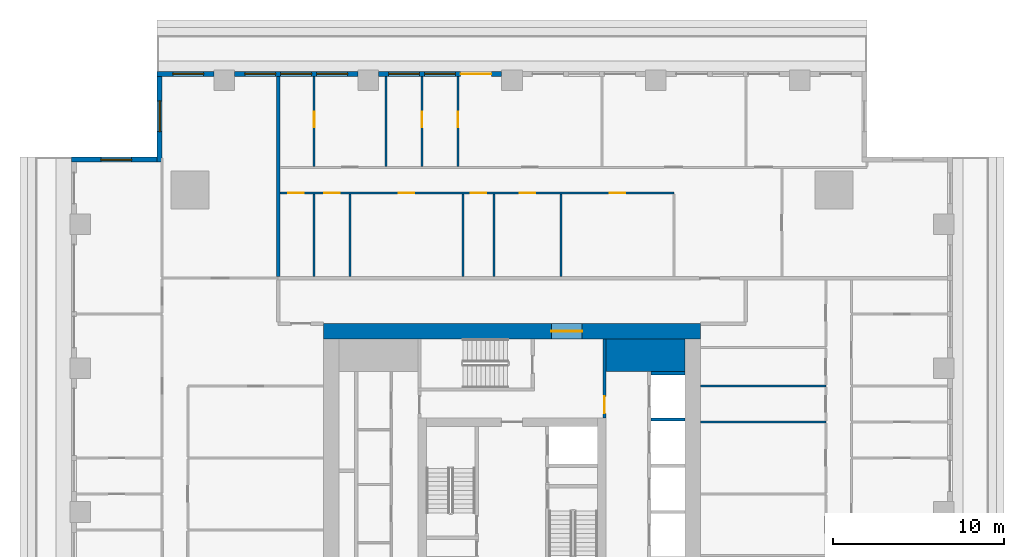
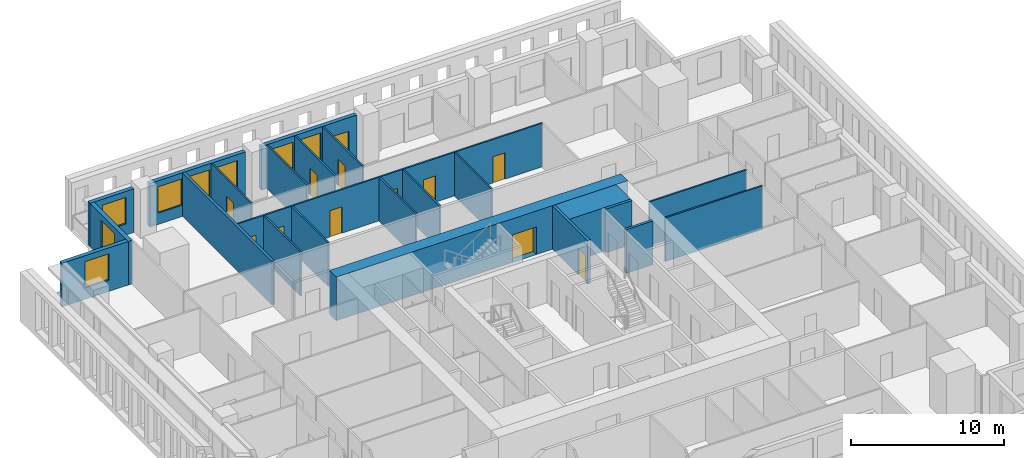
# One storey, part 7 of 14: 23 walls, 12 doors, 8 windows, 20 openings.
"""IFC4 building model written with IfcOpenShell, lengths in metres."""

from ifc_helpers import new_model, si_unit, direction, frame, frame_2d, origin, place, context, subcontext, project, spatial, rectangle, extrude, material, layer, layer_set, type_object, element, fill, save


model = new_model("IFC4")

# Units and contexts
model_context = context("Model", 3, precision=1e-05, world=origin(), true_north=direction((0.0, 1.0)))
body_context = subcontext(model_context, "Body", "Model", "MODEL_VIEW")
ifc_project = project(units=[si_unit("LENGTHUNIT", "METRE"), si_unit("AREAUNIT", "SQUARE_METRE"), si_unit("VOLUMEUNIT", "CUBIC_METRE"), si_unit("PLANEANGLEUNIT", "RADIAN"), si_unit("MASSUNIT", "GRAM", prefix="KILO")], contexts=[model_context])

# Site, building, storey
site_placement = place(None, origin())
site = spatial("IfcSite", under=ifc_project, at=site_placement, CompositionType="ELEMENT")
building_placement = place(site_placement, origin())
building = spatial("IfcBuilding", under=site, at=building_placement, Name="Khepri Terraces", CompositionType="ELEMENT")
storey_placement = place(building_placement, frame((0.0, 0.0, 271.800048828125)))
storey = spatial("IfcBuildingStorey", under=building, at=storey_placement, Name="L65", CompositionType="ELEMENT", Elevation=271.800048828125)

# Walls
ifc_material_1 = material(Name="Concrete C40/50", Category="concrete")
ifc_layer_1 = layer(ifc_material_1, 1.89990234375, Name="Concrete C40/50", Category="concrete")
ifc_layer_set_1 = layer_set([ifc_layer_1], Name="Concrete C40/50")
wall_type_1 = type_object("IfcWallType", Name="Core wall 1900 C40/50", PredefinedType="SHEAR", material=ifc_layer_set_1)
wall_1_placement = place(storey_placement, frame((5.5, 9.14990234375, 0.0), z_axis=(0.0, 0.0, 1.0), x_axis=(1.0, 0.0, 0.0)))
element("IfcWall", 1, at=wall_1_placement, inside=storey, type_object=wall_type_1, Name="Core wall PR04 L65", PredefinedType="SHEAR", context=body_context, shape_type="SweptSolid", body=[
    extrude(rectangle(XDim=4.60009765625, YDim=1.89990234375, at=frame_2d((2.300048828125, 0.0))), origin(), (0.0, 0.0, 1.0), 3.47998046875),
])
ifc_layer_2 = layer(ifc_material_1, 0.199951171875, Name="Concrete C40/50", Category="concrete")
ifc_layer_set_2 = layer_set([ifc_layer_2], Name="Concrete C40/50")
wall_type_2 = type_object("IfcWallType", Name="Core wall 200 C40/50", PredefinedType="SHEAR", material=ifc_layer_set_2)
for number, where, z_axis, x_axis, name in (
    (2, (8.10009765625, 5.39990234375, 0.0), (0.0, 0.0, 1.0), (1.0, 0.0, 0.0), "Core wall SH14 L65"),
    (3, (8.10009765625, 8.10009765625, 0.0), (0.0, 0.0, 1.0), (1.0, 0.0, 0.0), "Core wall SH15 L65"),
):
    element("IfcWall", number, at=place(storey_placement, frame(where, z_axis=z_axis, x_axis=x_axis)), inside=storey, type_object=wall_type_2, Name=name, PredefinedType="SHEAR", context=body_context, shape_type="SweptSolid", body=[
        extrude(rectangle(XDim=2.0, YDim=0.199951171875, at=frame_2d((1.0, 0.0))), origin(), (0.0, 0.0, 1.0), 3.47998046875),
    ])

# Wall, opening, door
ifc_layer_3 = layer(ifc_material_1, 0.89990234375, Name="Concrete C40/50", Category="concrete")
ifc_layer_set_3 = layer_set([ifc_layer_3], Name="Concrete C40/50")
wall_type_3 = type_object("IfcWallType", Name="Core wall 900 C40/50", PredefinedType="SHEAR", material=ifc_layer_set_3)
wall_2_placement = place(storey_placement, frame((-11.0, 10.550048828125, 0.0), z_axis=(0.0, 0.0, 1.0), x_axis=(1.0, 0.0, 0.0)))
wall_2 = element("IfcWall", 4, at=wall_2_placement, inside=storey, type_object=wall_type_3, Name="Core wall OW-N L65", PredefinedType="SHEAR", context=body_context, shape_type="SweptSolid", body=[
    extrude(rectangle(XDim=22.0, YDim=0.89990234375, at=frame_2d((11.0, 0.0))), origin(), (0.0, 0.0, 1.0), 3.47998046875),
])
opening_1_placement = place(wall_2_placement, frame((13.300048828125, 0.0, 0.0)))
opening_1 = element("IfcOpeningElement", 5, at=opening_1_placement, cuts=wall_2, Name="Opening L65-C20", PredefinedType="OPENING", context=body_context, shape_type="SweptSolid", body=[
    extrude(rectangle(XDim=1.800048828125, YDim=2.199951171875, at=frame_2d((0.89990234375, 1.10009765625))), frame((0.0, 0.4599609375, 0.0), z_axis=(0.0, -1.0, 0.0), x_axis=(1.0, 0.0, 0.0)), (0.0, 0.0, 1.0), 0.919921875),
])
ifc_material_2 = material(Name="Painted steel", Category="steel")
door_type_1 = type_object("IfcDoorType", Name="DR-CORE-ENTRANCE-1800", OperationType="NOTDEFINED", PredefinedType="DOOR", material=ifc_material_2)
door_1_placement = place(opening_1_placement, origin())
door_1 = element("IfcDoor", 6, at=door_1_placement, inside=storey, type_object=door_type_1, Name="Core entrance door pair L65-C20", OperationType="DOUBLE_DOOR_SINGLE_SWING", OverallHeight=2.199951171875, OverallWidth=1.800048828125, PredefinedType="DOOR", context=body_context, shape_type="SweptSolid", body=[
    extrude(rectangle(XDim=1.800048828125, YDim=2.199951171875, at=frame_2d((0.89990234375, 1.10009765625))), frame((0.0, 0.02490234375, 0.0), z_axis=(0.0, -1.0, 0.0), x_axis=(1.0, 0.0, 0.0)), (0.0, 0.0, 1.0), 0.050048828125),
])
fill(opening_1, door_1)

ifc_material_3 = material(Name="Fire-rated gypsum board partition")
ifc_layer_4 = layer(ifc_material_3, 0.199951171875, Name="Fire-rated gypsum board partition")
ifc_layer_set_4 = layer_set([ifc_layer_4], Name="Fire-rated gypsum board partition")
wall_type_4 = type_object("IfcWallType", Name="WL-CORE-PART-200", PredefinedType="PARTITIONING", material=ifc_layer_set_4)
wall_3_placement = place(storey_placement, frame((5.39990234375, 5.5, 0.0), z_axis=(0.0, 0.0, 1.0), x_axis=(0.0, 1.0, 0.0)))
wall_3 = element("IfcWall", 7, at=wall_3_placement, inside=storey, type_object=wall_type_4, Name="Core partition PT13 L65", PredefinedType="PARTITIONING", context=body_context, shape_type="SweptSolid", body=[
    extrude(rectangle(XDim=4.60009765625, YDim=0.199951171875, at=frame_2d((2.300048828125, 0.0))), origin(), (0.0, 0.0, 1.0), 3.47998046875),
])
opening_2_placement = place(wall_3_placement, frame((0.25, 0.0, 0.0)))
opening_2 = element("IfcOpeningElement", 8, at=opening_2_placement, cuts=wall_3, Name="Opening L65-C17", PredefinedType="OPENING", context=body_context, shape_type="SweptSolid", body=[
    extrude(rectangle(XDim=1.0, YDim=2.10009765625, at=frame_2d((0.5, 1.050048828125))), frame((0.0, 0.10986328125, 0.0), z_axis=(0.0, -1.0, 0.0), x_axis=(1.0, 0.0, 0.0)), (0.0, 0.0, 1.0), 0.219970703125),
])
door_type_2 = type_object("IfcDoorType", Name="DR-CORE-LOBBY-1000", OperationType="NOTDEFINED", PredefinedType="DOOR", material=ifc_material_2)
door_2_placement = place(opening_2_placement, origin())
door_2 = element("IfcDoor", 9, at=door_2_placement, inside=storey, type_object=door_type_2, Name="Lobby door L65-C17", OperationType="SINGLE_SWING_LEFT", OverallHeight=2.10009765625, OverallWidth=1.0, PredefinedType="DOOR", context=body_context, shape_type="SweptSolid", body=[
    extrude(rectangle(XDim=1.0, YDim=2.10009765625, at=frame_2d((0.5, 1.050048828125))), frame((0.0, 0.02490234375, 0.0), z_axis=(0.0, -1.0, 0.0), x_axis=(1.0, 0.0, 0.0)), (0.0, 0.0, 1.0), 0.050048828125),
])
fill(opening_2, door_2)

# Wall
ifc_material_4 = material(Name="Fire-rated gypsum plasterboard partition, mineral wool")
ifc_layer_5 = layer(ifc_material_4, 0.199951171875, Name="Fire-rated gypsum plasterboard partition, mineral wool")
ifc_layer_set_5 = layer_set([ifc_layer_5], Name="Fire-rated gypsum plasterboard partition, mineral wool")
wall_type_5 = type_object("IfcWallType", Name="WL-CORR-200", PredefinedType="PARTITIONING", material=ifc_layer_set_5)
wall_4_placement = place(storey_placement, frame((-13.64990234375, 13.75, 0.0), z_axis=(0.0, 0.0, 1.0), x_axis=(0.0, 1.0, 0.0)))
element("IfcWall", 10, at=wall_4_placement, inside=storey, type_object=wall_type_5, Name="Partition P-081 L65", PredefinedType="PARTITIONING", context=body_context, shape_type="SweptSolid", body=[
    extrude(rectangle(XDim=11.669921875, YDim=0.199951171875, at=frame_2d((5.8349609375, 0.0))), origin(), (0.0, 0.0, 1.0), 3.47998046875),
])

# Wall, openings, door, windows
ifc_material_5 = material(Name="Precast concrete C50/60 warm stone", Category="masonry")
ifc_layer_6 = layer(ifc_material_5, 0.300048828125, Name="Precast concrete C50/60 warm stone", Category="masonry")
ifc_layer_set_6 = layer_set([ifc_layer_6], Name="Precast concrete C50/60 warm stone")
wall_type_6 = type_object("IfcWallType", Name="WL-EXT-PRECAST-300", PredefinedType="STANDARD", material=ifc_layer_set_6)
wall_5_placement = place(storey_placement, frame((-0.60009765625, 25.570068359375, 0.0), z_axis=(0.0, 0.0, 1.0), x_axis=(-1.0, 0.0, 0.0)))
wall_5 = element("IfcWall", 11, at=wall_5_placement, inside=storey, type_object=wall_type_6, Name="External wall L65 N", PredefinedType="STANDARD", context=body_context, shape_type="SweptSolid", body=[
    extrude(rectangle(XDim=7.199951171875, YDim=0.300048828125, at=frame_2d((3.60009765625, 0.0))), origin(), (0.0, 0.0, 1.0), 3.47998046875),
])
opening_3_placement = place(wall_5_placement, frame((0.60009765625, 0.0, 0.0)))
opening_3 = element("IfcOpeningElement", 12, at=opening_3_placement, cuts=wall_5, Name="Opening ED-L65-10", PredefinedType="OPENING", context=body_context, shape_type="SweptSolid", body=[
    extrude(rectangle(XDim=1.800048828125, YDim=2.39990234375, at=frame_2d((0.89990234375, 1.199951171875))), frame((0.0, 0.16015625, 0.0), z_axis=(0.0, -1.0, 0.0), x_axis=(1.0, 0.0, 0.0)), (0.0, 0.0, 1.0), 0.320068359375),
])
opening_4_placement = place(wall_5_placement, frame((2.699951171875, 0.0, 0.89990234375)))
opening_4 = element("IfcOpeningElement", 13, at=opening_4_placement, cuts=wall_5, Name="Opening W1", PredefinedType="OPENING", context=body_context, shape_type="SweptSolid", body=[
    extrude(rectangle(XDim=1.800048828125, YDim=2.10009765625, at=frame_2d((0.89990234375, 1.050048828125))), frame((0.0, 0.16015625, 0.0), z_axis=(0.0, -1.0, 0.0), x_axis=(1.0, 0.0, 0.0)), (0.0, 0.0, 1.0), 0.320068359375),
])
opening_5_placement = place(wall_5_placement, frame((4.800048828125, 0.0, 0.89990234375)))
opening_5 = element("IfcOpeningElement", 14, at=opening_5_placement, cuts=wall_5, Name="Opening W1", PredefinedType="OPENING", context=body_context, shape_type="SweptSolid", body=[
    extrude(rectangle(XDim=1.800048828125, YDim=2.10009765625, at=frame_2d((0.89990234375, 1.050048828125))), frame((0.0, 0.16015625, 0.0), z_axis=(0.0, -1.0, 0.0), x_axis=(1.0, 0.0, 0.0)), (0.0, 0.0, 1.0), 0.320068359375),
])
ifc_material_6 = material(Name="Anodised aluminium bronze glazed door", Category="aluminium")
door_type_3 = type_object("IfcDoorType", Name="DR-BAL-SLIDE-1800x2400", OperationType="NOTDEFINED", PredefinedType="DOOR", material=ifc_material_6)
door_3_placement = place(opening_3_placement, origin())
door_3 = element("IfcDoor", 15, at=door_3_placement, inside=storey, type_object=door_type_3, Name="Balcony door L65 N", OperationType="SLIDING_TO_LEFT", OverallHeight=2.39990234375, OverallWidth=1.800048828125, PredefinedType="DOOR", context=body_context, shape_type="SweptSolid", body=[
    extrude(rectangle(XDim=1.800048828125, YDim=2.39990234375, at=frame_2d((0.89990234375, 1.199951171875))), frame((0.0, 0.02490234375, 0.0), z_axis=(0.0, -1.0, 0.0), x_axis=(1.0, 0.0, 0.0)), (0.0, 0.0, 1.0), 0.050048828125),
])
fill(opening_3, door_3)
ifc_material_7 = material(Name="Clear glass", Category="glass")
window_type = type_object("IfcWindowType", Name="WIN-RES-1800x2100", PartitioningType="SINGLE_PANEL", PredefinedType="WINDOW", material=ifc_material_7)
window_1_placement = place(opening_4_placement, origin())
window_1 = element("IfcWindow", 16, at=window_1_placement, inside=storey, type_object=window_type, Name="Window L65 N", OverallHeight=2.10009765625, OverallWidth=1.800048828125, PartitioningType="SINGLE_PANEL", PredefinedType="WINDOW", context=body_context, shape_type="SweptSolid", body=[
    extrude(rectangle(XDim=1.800048828125, YDim=2.10009765625, at=frame_2d((0.89990234375, 1.050048828125))), frame((0.0, 0.030029296875, 0.0), z_axis=(0.0, -1.0, 0.0), x_axis=(1.0, 0.0, 0.0)), (0.0, 0.0, 1.0), 0.06005859375),
])
fill(opening_4, window_1)
window_2_placement = place(opening_5_placement, origin())
window_2 = element("IfcWindow", 17, at=window_2_placement, inside=storey, type_object=window_type, Name="Window L65 N", OverallHeight=2.10009765625, OverallWidth=1.800048828125, PartitioningType="SINGLE_PANEL", PredefinedType="WINDOW", context=body_context, shape_type="SweptSolid", body=[
    extrude(rectangle(XDim=1.800048828125, YDim=2.10009765625, at=frame_2d((0.89990234375, 1.050048828125))), frame((0.0, 0.030029296875, 0.0), z_axis=(0.0, -1.0, 0.0), x_axis=(1.0, 0.0, 0.0)), (0.0, 0.0, 1.0), 0.06005859375),
])
fill(opening_5, window_2)

# Wall, openings, windows
wall_6_placement = place(storey_placement, frame((-9.0, 25.570068359375, 0.0), z_axis=(0.0, 0.0, 1.0), x_axis=(-1.0, 0.0, 0.0)))
wall_6 = element("IfcWall", 18, at=wall_6_placement, inside=storey, type_object=wall_type_6, Name="External wall L65 N", PredefinedType="STANDARD", context=body_context, shape_type="SweptSolid", body=[
    extrude(rectangle(XDim=7.199951171875, YDim=0.300048828125, at=frame_2d((3.60009765625, 0.0))), origin(), (0.0, 0.0, 1.0), 3.47998046875),
])
opening_6_placement = place(wall_6_placement, frame((0.60009765625, 0.0, 0.89990234375)))
opening_6 = element("IfcOpeningElement", 19, at=opening_6_placement, cuts=wall_6, Name="Opening W1", PredefinedType="OPENING", context=body_context, shape_type="SweptSolid", body=[
    extrude(rectangle(XDim=1.800048828125, YDim=2.10009765625, at=frame_2d((0.89990234375, 1.050048828125))), frame((0.0, 0.16015625, 0.0), z_axis=(0.0, -1.0, 0.0), x_axis=(1.0, 0.0, 0.0)), (0.0, 0.0, 1.0), 0.320068359375),
])
opening_7_placement = place(wall_6_placement, frame((2.699951171875, 0.0, 0.89990234375)))
opening_7 = element("IfcOpeningElement", 20, at=opening_7_placement, cuts=wall_6, Name="Opening W1", PredefinedType="OPENING", context=body_context, shape_type="SweptSolid", body=[
    extrude(rectangle(XDim=1.800048828125, YDim=2.10009765625, at=frame_2d((0.89990234375, 1.050048828125))), frame((0.0, 0.16015625, 0.0), z_axis=(0.0, -1.0, 0.0), x_axis=(1.0, 0.0, 0.0)), (0.0, 0.0, 1.0), 0.320068359375),
])
opening_8_placement = place(wall_6_placement, frame((4.800048828125, 0.0, 0.89990234375)))
opening_8 = element("IfcOpeningElement", 21, at=opening_8_placement, cuts=wall_6, Name="Opening W1", PredefinedType="OPENING", context=body_context, shape_type="SweptSolid", body=[
    extrude(rectangle(XDim=1.800048828125, YDim=2.10009765625, at=frame_2d((0.89990234375, 1.050048828125))), frame((0.0, 0.16015625, 0.0), z_axis=(0.0, -1.0, 0.0), x_axis=(1.0, 0.0, 0.0)), (0.0, 0.0, 1.0), 0.320068359375),
])
window_3_placement = place(opening_6_placement, origin())
window_3 = element("IfcWindow", 22, at=window_3_placement, inside=storey, type_object=window_type, Name="Window L65 N", OverallHeight=2.10009765625, OverallWidth=1.800048828125, PartitioningType="SINGLE_PANEL", PredefinedType="WINDOW", context=body_context, shape_type="SweptSolid", body=[
    extrude(rectangle(XDim=1.800048828125, YDim=2.10009765625, at=frame_2d((0.89990234375, 1.050048828125))), frame((0.0, 0.030029296875, 0.0), z_axis=(0.0, -1.0, 0.0), x_axis=(1.0, 0.0, 0.0)), (0.0, 0.0, 1.0), 0.06005859375),
])
fill(opening_6, window_3)
window_4_placement = place(opening_7_placement, origin())
window_4 = element("IfcWindow", 23, at=window_4_placement, inside=storey, type_object=window_type, Name="Window L65 N", OverallHeight=2.10009765625, OverallWidth=1.800048828125, PartitioningType="SINGLE_PANEL", PredefinedType="WINDOW", context=body_context, shape_type="SweptSolid", body=[
    extrude(rectangle(XDim=1.800048828125, YDim=2.10009765625, at=frame_2d((0.89990234375, 1.050048828125))), frame((0.0, 0.030029296875, 0.0), z_axis=(0.0, -1.0, 0.0), x_axis=(1.0, 0.0, 0.0)), (0.0, 0.0, 1.0), 0.06005859375),
])
fill(opening_7, window_4)
window_5_placement = place(opening_8_placement, origin())
window_5 = element("IfcWindow", 24, at=window_5_placement, inside=storey, type_object=window_type, Name="Window L65 N", OverallHeight=2.10009765625, OverallWidth=1.800048828125, PartitioningType="SINGLE_PANEL", PredefinedType="WINDOW", context=body_context, shape_type="SweptSolid", body=[
    extrude(rectangle(XDim=1.800048828125, YDim=2.10009765625, at=frame_2d((0.89990234375, 1.050048828125))), frame((0.0, 0.030029296875, 0.0), z_axis=(0.0, -1.0, 0.0), x_axis=(1.0, 0.0, 0.0)), (0.0, 0.0, 1.0), 0.06005859375),
])
fill(opening_8, window_5)

# Wall, opening, window
wall_7_placement = place(storey_placement, frame((-17.39990234375, 25.570068359375, 0.0), z_axis=(0.0, 0.0, 1.0), x_axis=(-1.0, 0.0, 0.0)))
wall_7 = element("IfcWall", 25, at=wall_7_placement, inside=storey, type_object=wall_type_6, Name="External wall L65 N", PredefinedType="STANDARD", context=body_context, shape_type="SweptSolid", body=[
    extrude(rectangle(XDim=3.320068359375, YDim=0.300048828125, at=frame_2d((1.66015625, 0.0))), origin(), (0.0, 0.0, 1.0), 3.47998046875),
])
opening_9_placement = place(wall_7_placement, frame((0.60009765625, 0.0, 0.89990234375)))
opening_9 = element("IfcOpeningElement", 26, at=opening_9_placement, cuts=wall_7, Name="Opening W1", PredefinedType="OPENING", context=body_context, shape_type="SweptSolid", body=[
    extrude(rectangle(XDim=1.800048828125, YDim=2.10009765625, at=frame_2d((0.89990234375, 1.050048828125))), frame((0.0, 0.16015625, 0.0), z_axis=(0.0, -1.0, 0.0), x_axis=(1.0, 0.0, 0.0)), (0.0, 0.0, 1.0), 0.320068359375),
])
window_6_placement = place(opening_9_placement, origin())
window_6 = element("IfcWindow", 27, at=window_6_placement, inside=storey, type_object=window_type, Name="Window L65 N", OverallHeight=2.10009765625, OverallWidth=1.800048828125, PartitioningType="SINGLE_PANEL", PredefinedType="WINDOW", context=body_context, shape_type="SweptSolid", body=[
    extrude(rectangle(XDim=1.800048828125, YDim=2.10009765625, at=frame_2d((0.89990234375, 1.050048828125))), frame((0.0, 0.030029296875, 0.0), z_axis=(0.0, -1.0, 0.0), x_axis=(1.0, 0.0, 0.0)), (0.0, 0.0, 1.0), 0.06005859375),
])
fill(opening_9, window_6)

wall_8_placement = place(storey_placement, frame((-20.570068359375, 25.419921875, 0.0), z_axis=(0.0, 0.0, 1.0), x_axis=(0.0, -1.0, 0.0)))
wall_8 = element("IfcWall", 28, at=wall_8_placement, inside=storey, type_object=wall_type_6, Name="External wall L65 W", PredefinedType="STANDARD", context=body_context, shape_type="SweptSolid", body=[
    extrude(rectangle(XDim=5.0, YDim=0.300048828125, at=frame_2d((2.5, 0.0))), origin(), (0.0, 0.0, 1.0), 3.47998046875),
])
opening_10_placement = place(wall_8_placement, frame((1.419921875, 0.0, 0.89990234375)))
opening_10 = element("IfcOpeningElement", 29, at=opening_10_placement, cuts=wall_8, Name="Opening W1", PredefinedType="OPENING", context=body_context, shape_type="SweptSolid", body=[
    extrude(rectangle(XDim=1.800048828125, YDim=2.10009765625, at=frame_2d((0.89990234375, 1.050048828125))), frame((0.0, 0.16015625, 0.0), z_axis=(0.0, -1.0, 0.0), x_axis=(1.0, 0.0, 0.0)), (0.0, 0.0, 1.0), 0.320068359375),
])
window_7_placement = place(opening_10_placement, origin())
window_7 = element("IfcWindow", 30, at=window_7_placement, inside=storey, type_object=window_type, Name="Window L65 W", OverallHeight=2.10009765625, OverallWidth=1.800048828125, PartitioningType="SINGLE_PANEL", PredefinedType="WINDOW", context=body_context, shape_type="SweptSolid", body=[
    extrude(rectangle(XDim=1.800048828125, YDim=2.10009765625, at=frame_2d((0.89990234375, 1.050048828125))), frame((0.0, 0.030029296875, 0.0), z_axis=(0.0, -1.0, 0.0), x_axis=(1.0, 0.0, 0.0)), (0.0, 0.0, 1.0), 0.06005859375),
])
fill(opening_10, window_7)

wall_9_placement = place(storey_placement, frame((-20.719970703125, 20.570068359375, 0.0), z_axis=(0.0, 0.0, 1.0), x_axis=(-1.0, 0.0, 0.0)))
wall_9 = element("IfcWall", 31, at=wall_9_placement, inside=storey, type_object=wall_type_6, Name="External wall L65 N", PredefinedType="STANDARD", context=body_context, shape_type="SweptSolid", body=[
    extrude(rectangle(XDim=5.0, YDim=0.300048828125, at=frame_2d((2.5, 0.0))), origin(), (0.0, 0.0, 1.0), 3.47998046875),
])
opening_11_placement = place(wall_9_placement, frame((1.47998046875, 0.0, 0.89990234375)))
opening_11 = element("IfcOpeningElement", 32, at=opening_11_placement, cuts=wall_9, Name="Opening W1", PredefinedType="OPENING", context=body_context, shape_type="SweptSolid", body=[
    extrude(rectangle(XDim=1.800048828125, YDim=2.10009765625, at=frame_2d((0.89990234375, 1.050048828125))), frame((0.0, 0.16015625, 0.0), z_axis=(0.0, -1.0, 0.0), x_axis=(1.0, 0.0, 0.0)), (0.0, 0.0, 1.0), 0.320068359375),
])
window_8_placement = place(opening_11_placement, origin())
window_8 = element("IfcWindow", 33, at=window_8_placement, inside=storey, type_object=window_type, Name="Window L65 N", OverallHeight=2.10009765625, OverallWidth=1.800048828125, PartitioningType="SINGLE_PANEL", PredefinedType="WINDOW", context=body_context, shape_type="SweptSolid", body=[
    extrude(rectangle(XDim=1.800048828125, YDim=2.10009765625, at=frame_2d((0.89990234375, 1.050048828125))), frame((0.0, 0.030029296875, 0.0), z_axis=(0.0, -1.0, 0.0), x_axis=(1.0, 0.0, 0.0)), (0.0, 0.0, 1.0), 0.06005859375),
])
fill(opening_11, window_8)

# Walls
ifc_material_8 = material(Name="Gypsum plasterboard partition")
ifc_layer_7 = layer(ifc_material_8, 0.1201171875, Name="Gypsum plasterboard partition")
ifc_layer_set_7 = layer_set([ifc_layer_7], Name="Gypsum plasterboard partition")
wall_type_7 = type_object("IfcWallType", Name="WL-PART-120", PredefinedType="PARTITIONING", material=ifc_layer_set_7)
for number, where, z_axis, x_axis, name in (
    (34, (11.0, 5.25, 0.0), (0.0, 0.0, 1.0), (1.0, 0.0, 0.0), "Partition P-059 L65"),
    (35, (11.0, 7.35009765625, 0.0), (0.0, 0.0, 1.0), (1.0, 0.0, 0.0), "Partition P-064 L65"),
):
    element("IfcWall", number, at=place(storey_placement, frame(where, z_axis=z_axis, x_axis=x_axis)), inside=storey, type_object=wall_type_7, Name=name, PredefinedType="PARTITIONING", context=body_context, shape_type="SweptSolid", body=[
        extrude(rectangle(XDim=7.320068359375, YDim=0.1201171875, at=frame_2d((3.66015625, 0.0))), origin(), (0.0, 0.0, 1.0), 3.47998046875),
    ])
for number, where, z_axis, x_axis, name in (
    (36, (-11.550048828125, 13.75, 0.0), (0.0, 0.0, 1.0), (0.0, 1.0, 0.0), "Partition P-082 L65"),
    (37, (-9.449951171875, 13.75, 0.0), (0.0, 0.0, 1.0), (0.0, 1.0, 0.0), "Partition P-083 L65"),
    (38, (-2.85009765625, 13.75, 0.0), (0.0, 0.0, 1.0), (0.0, 1.0, 0.0), "Partition P-084 L65"),
    (39, (-1.050048828125, 13.75, 0.0), (0.0, 0.0, 1.0), (0.0, 1.0, 0.0), "Partition P-085 L65"),
    (40, (2.85009765625, 13.75, 0.0), (0.0, 0.0, 1.0), (0.0, 1.0, 0.0), "Partition P-086 L65"),
):
    element("IfcWall", number, at=place(storey_placement, frame(where, z_axis=z_axis, x_axis=x_axis)), inside=storey, type_object=wall_type_7, Name=name, PredefinedType="PARTITIONING", context=body_context, shape_type="SweptSolid", body=[
        extrude(rectangle(XDim=4.81005859375, YDim=0.1201171875, at=frame_2d((2.405029296875, 0.0))), origin(), (0.0, 0.0, 1.0), 3.47998046875),
    ])

# Wall, openings, doors
wall_10_placement = place(storey_placement, frame((-13.550048828125, 18.6201171875, 0.0), z_axis=(0.0, 0.0, 1.0), x_axis=(1.0, 0.0, 0.0)))
wall_10 = element("IfcWall", 41, at=wall_10_placement, inside=storey, type_object=wall_type_7, Name="Partition P-089 L65", PredefinedType="PARTITIONING", context=body_context, shape_type="SweptSolid", body=[
    extrude(rectangle(XDim=23.0, YDim=0.1201171875, at=frame_2d((11.5, 0.0))), origin(), (0.0, 0.0, 1.0), 3.47998046875),
])
opening_12_placement = place(wall_10_placement, frame((19.25, 0.0, 0.0)))
opening_12 = element("IfcOpeningElement", 42, at=opening_12_placement, cuts=wall_10, Name="Opening D3", PredefinedType="OPENING", context=body_context, shape_type="SweptSolid", body=[
    extrude(rectangle(XDim=0.89990234375, YDim=2.10009765625, at=frame_2d((0.449951171875, 1.050048828125))), frame((0.0, 0.070068359375, 0.0), z_axis=(0.0, -1.0, 0.0), x_axis=(1.0, 0.0, 0.0)), (0.0, 0.0, 1.0), 0.14013671875),
])
opening_13_placement = place(wall_10_placement, frame((14.0, 0.0, 0.0)))
opening_13 = element("IfcOpeningElement", 43, at=opening_13_placement, cuts=wall_10, Name="Opening D3", PredefinedType="OPENING", context=body_context, shape_type="SweptSolid", body=[
    extrude(rectangle(XDim=0.89990234375, YDim=2.10009765625, at=frame_2d((0.449951171875, 1.050048828125))), frame((0.0, 0.070068359375, 0.0), z_axis=(0.0, -1.0, 0.0), x_axis=(1.0, 0.0, 0.0)), (0.0, 0.0, 1.0), 0.14013671875),
])
opening_14_placement = place(wall_10_placement, frame((11.14990234375, 0.0, 0.0)))
opening_14 = element("IfcOpeningElement", 44, at=opening_14_placement, cuts=wall_10, Name="Opening D4", PredefinedType="OPENING", context=body_context, shape_type="SweptSolid", body=[
    extrude(rectangle(XDim=0.89990234375, YDim=2.10009765625, at=frame_2d((0.449951171875, 1.050048828125))), frame((0.0, 0.070068359375, 0.0), z_axis=(0.0, -1.0, 0.0), x_axis=(1.0, 0.0, 0.0)), (0.0, 0.0, 1.0), 0.14013671875),
])
opening_15_placement = place(wall_10_placement, frame((6.949951171875, 0.0, 0.0)))
opening_15 = element("IfcOpeningElement", 45, at=opening_15_placement, cuts=wall_10, Name="Opening D3", PredefinedType="OPENING", context=body_context, shape_type="SweptSolid", body=[
    extrude(rectangle(XDim=0.89990234375, YDim=2.10009765625, at=frame_2d((0.449951171875, 1.050048828125))), frame((0.0, 0.070068359375, 0.0), z_axis=(0.0, -1.0, 0.0), x_axis=(1.0, 0.0, 0.0)), (0.0, 0.0, 1.0), 0.14013671875),
])
opening_16_placement = place(wall_10_placement, frame((2.60009765625, 0.0, 0.0)))
opening_16 = element("IfcOpeningElement", 46, at=opening_16_placement, cuts=wall_10, Name="Opening D4", PredefinedType="OPENING", context=body_context, shape_type="SweptSolid", body=[
    extrude(rectangle(XDim=0.89990234375, YDim=2.10009765625, at=frame_2d((0.449951171875, 1.050048828125))), frame((0.0, 0.070068359375, 0.0), z_axis=(0.0, -1.0, 0.0), x_axis=(1.0, 0.0, 0.0)), (0.0, 0.0, 1.0), 0.14013671875),
])
opening_17_placement = place(wall_10_placement, frame((0.5, 0.0, 0.0)))
opening_17 = element("IfcOpeningElement", 47, at=opening_17_placement, cuts=wall_10, Name="Opening D3", PredefinedType="OPENING", context=body_context, shape_type="SweptSolid", body=[
    extrude(rectangle(XDim=0.89990234375, YDim=2.10009765625, at=frame_2d((0.449951171875, 1.050048828125))), frame((0.0, 0.070068359375, 0.0), z_axis=(0.0, -1.0, 0.0), x_axis=(1.0, 0.0, 0.0)), (0.0, 0.0, 1.0), 0.14013671875),
])
ifc_material_9 = material(Name="Timber door leaf", Category="wood")
door_type_4 = type_object("IfcDoorType", Name="DR-INT-900", OperationType="NOTDEFINED", PredefinedType="DOOR", material=ifc_material_9)
door_4_placement = place(opening_12_placement, frame((0.89990234375, 0.0, 0.0), z_axis=(0.0, 0.0, 1.0), x_axis=(-1.0, 0.0, 0.0)))
door_4 = element("IfcDoor", 48, at=door_4_placement, inside=storey, type_object=door_type_4, Name="Door Kitchen", OperationType="SINGLE_SWING_LEFT", OverallHeight=2.10009765625, OverallWidth=0.89990234375, PredefinedType="DOOR", context=body_context, shape_type="SweptSolid", body=[
    extrude(rectangle(XDim=0.89990234375, YDim=2.10009765625, at=frame_2d((0.449951171875, 1.050048828125))), frame((0.0, 0.02490234375, 0.0), z_axis=(0.0, -1.0, 0.0), x_axis=(1.0, 0.0, 0.0)), (0.0, 0.0, 1.0), 0.050048828125),
])
fill(opening_12, door_4)
door_5_placement = place(opening_13_placement, frame((0.89990234375, 0.0, 0.0), z_axis=(0.0, 0.0, 1.0), x_axis=(-1.0, 0.0, 0.0)))
door_5 = element("IfcDoor", 49, at=door_5_placement, inside=storey, type_object=door_type_4, Name="Door Utility Room", OperationType="SINGLE_SWING_LEFT", OverallHeight=2.10009765625, OverallWidth=0.89990234375, PredefinedType="DOOR", context=body_context, shape_type="SweptSolid", body=[
    extrude(rectangle(XDim=0.89990234375, YDim=2.10009765625, at=frame_2d((0.449951171875, 1.050048828125))), frame((0.0, 0.02490234375, 0.0), z_axis=(0.0, -1.0, 0.0), x_axis=(1.0, 0.0, 0.0)), (0.0, 0.0, 1.0), 0.050048828125),
])
fill(opening_13, door_5)
door_6_placement = place(opening_15_placement, frame((0.89990234375, 0.0, 0.0), z_axis=(0.0, 0.0, 1.0), x_axis=(-1.0, 0.0, 0.0)))
door_6 = element("IfcDoor", 50, at=door_6_placement, inside=storey, type_object=door_type_4, Name="Door Staff Bedroom", OperationType="SINGLE_SWING_RIGHT", OverallHeight=2.10009765625, OverallWidth=0.89990234375, PredefinedType="DOOR", context=body_context, shape_type="SweptSolid", body=[
    extrude(rectangle(XDim=0.89990234375, YDim=2.10009765625, at=frame_2d((0.449951171875, 1.050048828125))), frame((0.0, 0.02490234375, 0.0), z_axis=(0.0, -1.0, 0.0), x_axis=(1.0, 0.0, 0.0)), (0.0, 0.0, 1.0), 0.050048828125),
])
fill(opening_15, door_6)
door_7_placement = place(opening_17_placement, frame((0.89990234375, 0.0, 0.0), z_axis=(0.0, 0.0, 1.0), x_axis=(-1.0, 0.0, 0.0)))
door_7 = element("IfcDoor", 51, at=door_7_placement, inside=storey, type_object=door_type_4, Name="Door Utility Room", OperationType="SINGLE_SWING_RIGHT", OverallHeight=2.10009765625, OverallWidth=0.89990234375, PredefinedType="DOOR", context=body_context, shape_type="SweptSolid", body=[
    extrude(rectangle(XDim=0.89990234375, YDim=2.10009765625, at=frame_2d((0.449951171875, 1.050048828125))), frame((0.0, 0.02490234375, 0.0), z_axis=(0.0, -1.0, 0.0), x_axis=(1.0, 0.0, 0.0)), (0.0, 0.0, 1.0), 0.050048828125),
])
fill(opening_17, door_7)
ifc_material_10 = material(Name="Timber door leaf, moisture resistant", Category="wood")
door_type_5 = type_object("IfcDoorType", Name="DR-WET-900", OperationType="NOTDEFINED", PredefinedType="DOOR", material=ifc_material_10)
door_8_placement = place(opening_14_placement, frame((0.89990234375, 0.0, 0.0), z_axis=(0.0, 0.0, 1.0), x_axis=(-1.0, 0.0, 0.0)))
door_8 = element("IfcDoor", 52, at=door_8_placement, inside=storey, type_object=door_type_5, Name="Door Powder Room", OperationType="SINGLE_SWING_LEFT", OverallHeight=2.10009765625, OverallWidth=0.89990234375, PredefinedType="DOOR", context=body_context, shape_type="SweptSolid", body=[
    extrude(rectangle(XDim=0.89990234375, YDim=2.10009765625, at=frame_2d((0.449951171875, 1.050048828125))), frame((0.0, 0.02490234375, 0.0), z_axis=(0.0, -1.0, 0.0), x_axis=(1.0, 0.0, 0.0)), (0.0, 0.0, 1.0), 0.050048828125),
])
fill(opening_14, door_8)
door_9_placement = place(opening_16_placement, frame((0.89990234375, 0.0, 0.0), z_axis=(0.0, 0.0, 1.0), x_axis=(-1.0, 0.0, 0.0)))
door_9 = element("IfcDoor", 53, at=door_9_placement, inside=storey, type_object=door_type_5, Name="Door Guest Bathroom", OperationType="SINGLE_SWING_RIGHT", OverallHeight=2.10009765625, OverallWidth=0.89990234375, PredefinedType="DOOR", context=body_context, shape_type="SweptSolid", body=[
    extrude(rectangle(XDim=0.89990234375, YDim=2.10009765625, at=frame_2d((0.449951171875, 1.050048828125))), frame((0.0, 0.02490234375, 0.0), z_axis=(0.0, -1.0, 0.0), x_axis=(1.0, 0.0, 0.0)), (0.0, 0.0, 1.0), 0.050048828125),
])
fill(opening_16, door_9)

# Wall, opening, door
wall_11_placement = place(storey_placement, frame((-11.550048828125, 20.179931640625, 0.0), z_axis=(0.0, 0.0, 1.0), x_axis=(0.0, 1.0, 0.0)))
wall_11 = element("IfcWall", 54, at=wall_11_placement, inside=storey, type_object=wall_type_7, Name="Partition P-091 L65", PredefinedType="PARTITIONING", context=body_context, shape_type="SweptSolid", body=[
    extrude(rectangle(XDim=5.239990234375, YDim=0.1201171875, at=frame_2d((2.6201171875, 0.0))), origin(), (0.0, 0.0, 1.0), 3.47998046875),
])
opening_18_placement = place(wall_11_placement, frame((2.2900390625, 0.0, 0.0)))
opening_18 = element("IfcOpeningElement", 55, at=opening_18_placement, cuts=wall_11, Name="Opening D4", PredefinedType="OPENING", context=body_context, shape_type="SweptSolid", body=[
    extrude(rectangle(XDim=0.89990234375, YDim=2.10009765625, at=frame_2d((0.449951171875, 1.050048828125))), frame((0.0, 0.070068359375, 0.0), z_axis=(0.0, -1.0, 0.0), x_axis=(1.0, 0.0, 0.0)), (0.0, 0.0, 1.0), 0.14013671875),
])
door_10_placement = place(opening_18_placement, origin())
door_10 = element("IfcDoor", 56, at=door_10_placement, inside=storey, type_object=door_type_5, Name="Door Bathroom", OperationType="SINGLE_SWING_RIGHT", OverallHeight=2.10009765625, OverallWidth=0.89990234375, PredefinedType="DOOR", context=body_context, shape_type="SweptSolid", body=[
    extrude(rectangle(XDim=0.89990234375, YDim=2.10009765625, at=frame_2d((0.449951171875, 1.050048828125))), frame((0.0, 0.02490234375, 0.0), z_axis=(0.0, -1.0, 0.0), x_axis=(1.0, 0.0, 0.0)), (0.0, 0.0, 1.0), 0.050048828125),
])
fill(opening_18, door_10)

# Wall
wall_12_placement = place(storey_placement, frame((-7.35009765625, 20.179931640625, 0.0), z_axis=(0.0, 0.0, 1.0), x_axis=(0.0, 1.0, 0.0)))
element("IfcWall", 57, at=wall_12_placement, inside=storey, type_object=wall_type_7, Name="Partition P-092 L65", PredefinedType="PARTITIONING", context=body_context, shape_type="SweptSolid", body=[
    extrude(rectangle(XDim=5.239990234375, YDim=0.1201171875, at=frame_2d((2.6201171875, 0.0))), origin(), (0.0, 0.0, 1.0), 3.47998046875),
])

# Wall, opening, door
wall_13_placement = place(storey_placement, frame((-5.25, 20.179931640625, 0.0), z_axis=(0.0, 0.0, 1.0), x_axis=(0.0, 1.0, 0.0)))
wall_13 = element("IfcWall", 58, at=wall_13_placement, inside=storey, type_object=wall_type_7, Name="Partition P-093 L65", PredefinedType="PARTITIONING", context=body_context, shape_type="SweptSolid", body=[
    extrude(rectangle(XDim=5.239990234375, YDim=0.1201171875, at=frame_2d((2.6201171875, 0.0))), origin(), (0.0, 0.0, 1.0), 3.47998046875),
])
opening_19_placement = place(wall_13_placement, frame((2.2900390625, 0.0, 0.0)))
opening_19 = element("IfcOpeningElement", 59, at=opening_19_placement, cuts=wall_13, Name="Opening D4", PredefinedType="OPENING", context=body_context, shape_type="SweptSolid", body=[
    extrude(rectangle(XDim=0.89990234375, YDim=2.10009765625, at=frame_2d((0.449951171875, 1.050048828125))), frame((0.0, 0.070068359375, 0.0), z_axis=(0.0, -1.0, 0.0), x_axis=(1.0, 0.0, 0.0)), (0.0, 0.0, 1.0), 0.14013671875),
])
door_11_placement = place(opening_19_placement, origin())
door_11 = element("IfcDoor", 60, at=door_11_placement, inside=storey, type_object=door_type_5, Name="Door Bathroom", OperationType="SINGLE_SWING_RIGHT", OverallHeight=2.10009765625, OverallWidth=0.89990234375, PredefinedType="DOOR", context=body_context, shape_type="SweptSolid", body=[
    extrude(rectangle(XDim=0.89990234375, YDim=2.10009765625, at=frame_2d((0.449951171875, 1.050048828125))), frame((0.0, 0.02490234375, 0.0), z_axis=(0.0, -1.0, 0.0), x_axis=(1.0, 0.0, 0.0)), (0.0, 0.0, 1.0), 0.050048828125),
])
fill(opening_19, door_11)

wall_14_placement = place(storey_placement, frame((-3.14990234375, 20.179931640625, 0.0), z_axis=(0.0, 0.0, 1.0), x_axis=(0.0, 1.0, 0.0)))
wall_14 = element("IfcWall", 61, at=wall_14_placement, inside=storey, type_object=wall_type_7, Name="Partition P-094 L65", PredefinedType="PARTITIONING", context=body_context, shape_type="SweptSolid", body=[
    extrude(rectangle(XDim=5.239990234375, YDim=0.1201171875, at=frame_2d((2.6201171875, 0.0))), origin(), (0.0, 0.0, 1.0), 3.47998046875),
])
opening_20_placement = place(wall_14_placement, frame((2.2900390625, 0.0, 0.0)))
opening_20 = element("IfcOpeningElement", 62, at=opening_20_placement, cuts=wall_14, Name="Opening D3", PredefinedType="OPENING", context=body_context, shape_type="SweptSolid", body=[
    extrude(rectangle(XDim=0.89990234375, YDim=2.10009765625, at=frame_2d((0.449951171875, 1.050048828125))), frame((0.0, 0.070068359375, 0.0), z_axis=(0.0, -1.0, 0.0), x_axis=(1.0, 0.0, 0.0)), (0.0, 0.0, 1.0), 0.14013671875),
])
door_12_placement = place(opening_20_placement, origin())
door_12 = element("IfcDoor", 63, at=door_12_placement, inside=storey, type_object=door_type_4, Name="Door Dressing Room", OperationType="SINGLE_SWING_RIGHT", OverallHeight=2.10009765625, OverallWidth=0.89990234375, PredefinedType="DOOR", context=body_context, shape_type="SweptSolid", body=[
    extrude(rectangle(XDim=0.89990234375, YDim=2.10009765625, at=frame_2d((0.449951171875, 1.050048828125))), frame((0.0, 0.02490234375, 0.0), z_axis=(0.0, -1.0, 0.0), x_axis=(1.0, 0.0, 0.0)), (0.0, 0.0, 1.0), 0.050048828125),
])
fill(opening_20, door_12)

save(model, "model.ifc")
